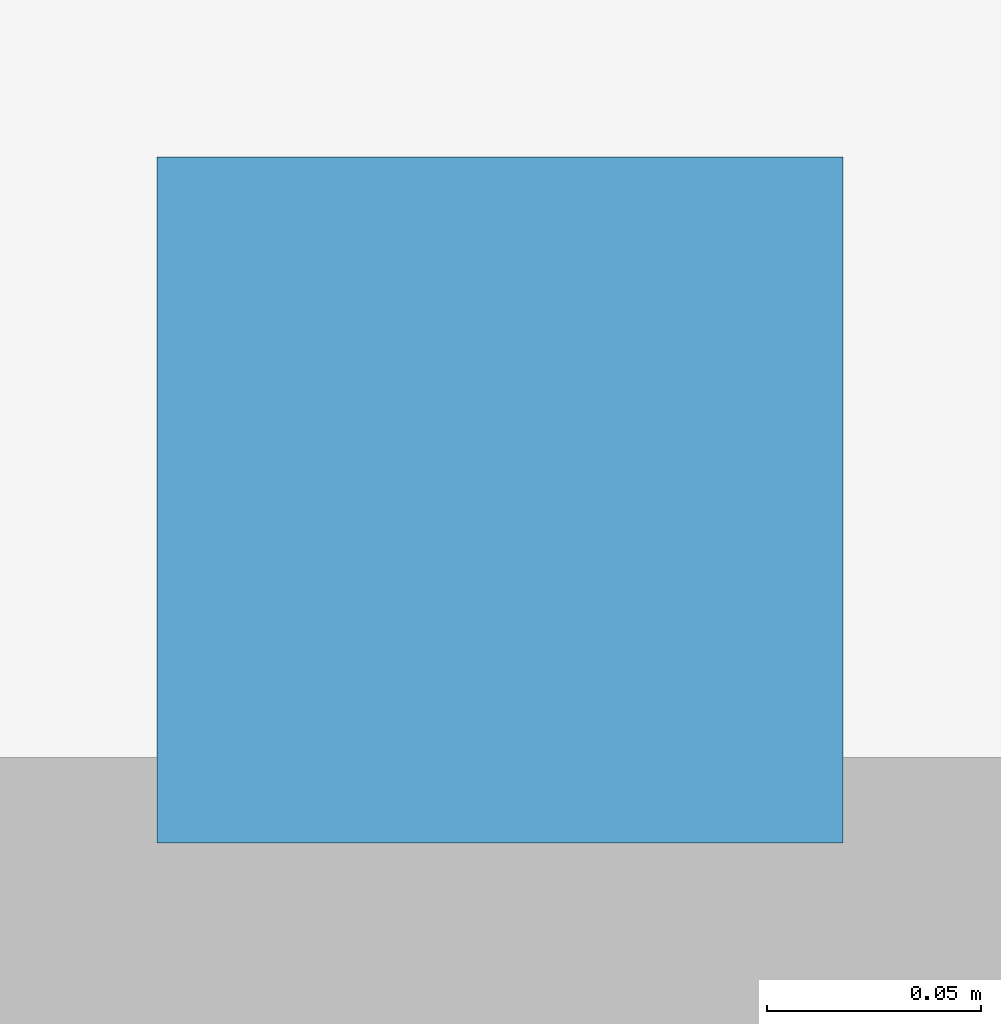
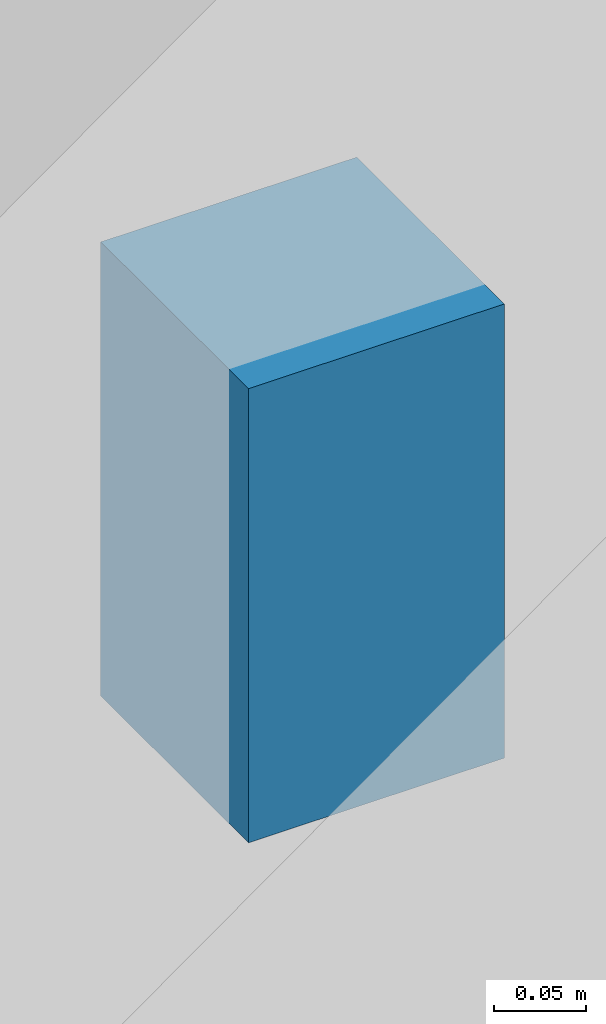
# One storey, part 34 of 35: 1 discrete accessory.
"""IFC4 building model written with IfcOpenShell, lengths in metres."""

from ifc_helpers import new_model, si_unit, direction, frame, origin, origin_2d, place, context, subcontext, project, spatial, rectangle, extrude, material, type_object, element, save


model = new_model("IFC4")

# Units and contexts
model_context = context("Model", 3, precision=1e-05, world=origin(), true_north=direction((0.0, 1.0)))
body_context = subcontext(model_context, "Body", "Model", "MODEL_VIEW")
ifc_project = project(units=[si_unit("LENGTHUNIT", "METRE"), si_unit("AREAUNIT", "SQUARE_METRE"), si_unit("VOLUMEUNIT", "CUBIC_METRE"), si_unit("PLANEANGLEUNIT", "RADIAN"), si_unit("MASSUNIT", "GRAM", prefix="KILO")], contexts=[model_context])

# Site, building, storey
site_placement = place(None, origin())
site = spatial("IfcSite", under=ifc_project, at=site_placement, CompositionType="ELEMENT")
building_placement = place(site_placement, origin())
building = spatial("IfcBuilding", under=site, at=building_placement, Name="Vellmiral Cinema and Media Centre", CompositionType="ELEMENT")
storey_placement = place(building_placement, frame((0.0, 0.0, 15.60009765625)))
storey = spatial("IfcBuildingStorey", under=building, at=storey_placement, Name="L03", CompositionType="ELEMENT", Elevation=15.60009765625)

# Discrete accessory
ifc_material = material(Name="Steel S355", Category="steel")
discrete_accessory_type = type_object("IfcDiscreteAccessoryType", Name="ACC-LIFT-GUIDE", PredefinedType="BRACKET", material=ifc_material)
discrete_accessory_placement = place(storey_placement, frame((74.39990234375, 66.360107421875, 2.39990234375), z_axis=(0.0, 0.0, 1.0), x_axis=(1.0, 0.0, 0.0)))
element("IfcDiscreteAccessory", 1, at=discrete_accessory_placement, inside=storey, type_object=discrete_accessory_type, Name="Lift Guide and Overrun Bracket LF-C2", PredefinedType="BRACKET", context=body_context, shape_type="SweptSolid", body=[
    extrude(rectangle(XDim=0.159912109375, YDim=0.159912109375, at=origin_2d()), origin(), (0.0, 0.0, 1.0), 0.300048828125),
])

save(model, "model.ifc")
